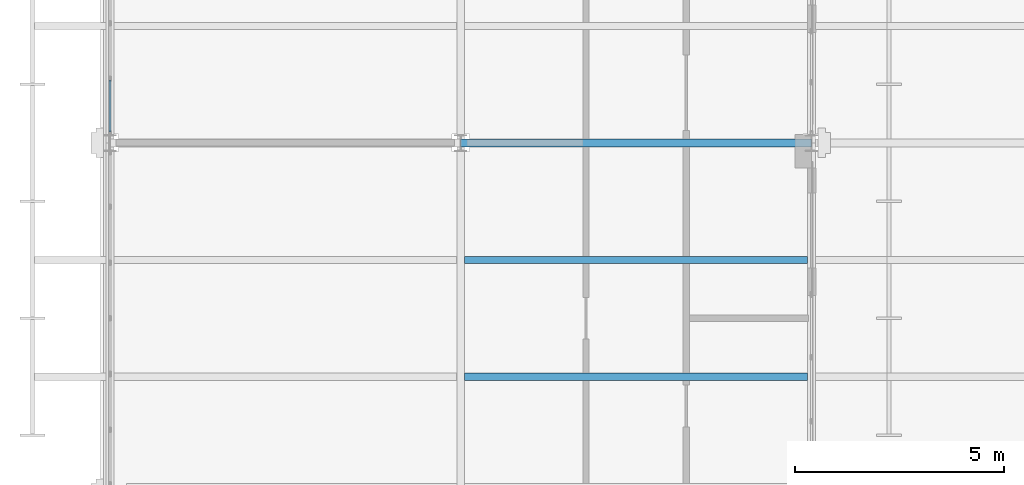
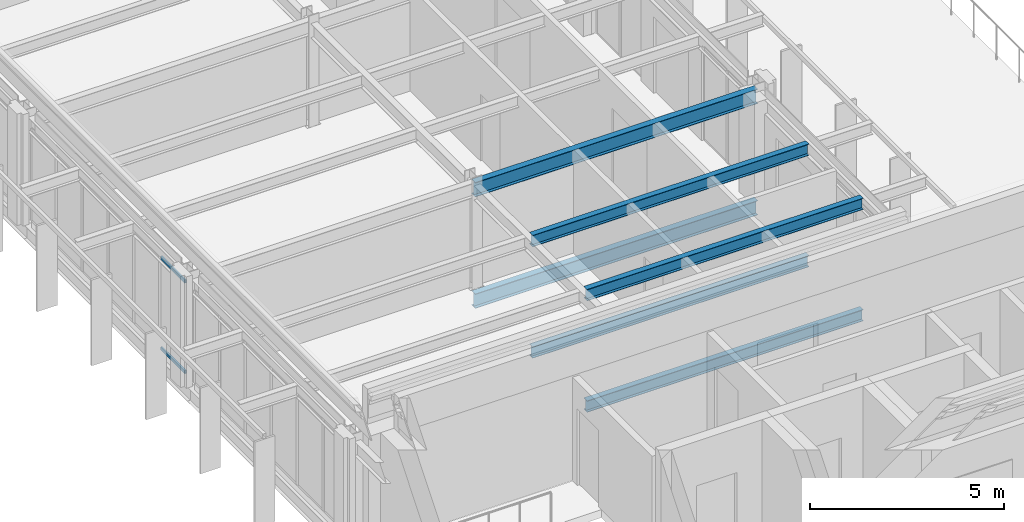
# One storey, part 7 of 31: 6 beams, 2 members, 1 element without a shape of its own.
"""IFC4 building model written with IfcOpenShell, lengths in metres."""

import ifcopenshell
import ifcopenshell.guid

model = None  # the IFC model being written
_history = None  # IfcOwnerHistory: only IFC2X3 demands one
_inside = {}  # id of a spatial element -> (the spatial element, [elements in it])
_under = {}  # id of a project, library or spatial element -> (it, [spatial elements below it])
_declared = {}  # id of a project -> (the project, [libraries it declares])
_typed = {}  # id of a type object -> (the type object, [elements of that type])
_made_of = {}  # id of a material, layer set ... -> (it, [elements and type objects made of it])


def new_model(schema):
    """Start an empty IFC model of exactly this schema.

    Asked for "IFC4X3", IfcOpenShell would pick the latest addendum, in which some entities
    have other attributes; the version numbers below select the first issue.
    IFC2X3 requires an IfcOwnerHistory on every rooted entity: one is made here for all.
    """
    global model, _history
    if schema == "IFC4X3":
        model = ifcopenshell.file(schema_version=(4, 3, 0, 0))
    else:
        model = ifcopenshell.file(schema=schema)
    _inside.clear()
    _under.clear()
    _declared.clear()
    _typed.clear()
    _made_of.clear()
    _history = None
    if model.schema == "IFC2X3":
        org = make("IfcOrganization", Name="unknown")
        user = make(
            "IfcPersonAndOrganization",
            ThePerson=make("IfcPerson", FamilyName="unknown"),
            TheOrganization=org,
        )
        app = make(
            "IfcApplication",
            ApplicationDeveloper=org,
            Version="unknown",
            ApplicationFullName="unknown",
            ApplicationIdentifier="unknown",
        )
        _history = make(
            "IfcOwnerHistory",
            OwningUser=user,
            OwningApplication=app,
            ChangeAction="ADDED",
            CreationDate=0,
        )
    return model


def make(cls, **values):
    """One entity of the class cls with the attributes given. An attribute that is None is left unset."""
    return model.create_entity(
        cls, **{name: value for name, value in values.items() if value is not None}
    )


def rooted(cls, **values):
    """An entity with a GlobalId (a new one), such as an element, a storey or a relation."""
    return make(cls, GlobalId=ifcopenshell.guid.new(), OwnerHistory=_history, **values)


def si_unit(unit_type, name, prefix=None):
    """IfcSIUnit, for example si_unit("LENGTHUNIT", "METRE", prefix="MILLI")."""
    return make("IfcSIUnit", UnitType=unit_type, Prefix=prefix, Name=name)


def assignment(units):
    """IfcUnitAssignment: the units of a project."""
    return None if units is None else make("IfcUnitAssignment", Units=units)


def point(xyz):
    """IfcCartesianPoint."""
    return None if xyz is None else make("IfcCartesianPoint", Coordinates=xyz)


def direction(xyz):
    """IfcDirection."""
    return None if xyz is None else make("IfcDirection", DirectionRatios=xyz)


def frame(location, z_axis=None, x_axis=None):
    """IfcAxis2Placement3D, a coordinate frame: its origin and axes. An axis left out is left unset."""
    return make(
        "IfcAxis2Placement3D",
        Location=point(location),
        Axis=direction(z_axis),
        RefDirection=direction(x_axis),
    )


def frame_2d(location, x_axis=None):
    """IfcAxis2Placement2D, a coordinate frame in the plane: its origin and x axis."""
    return make(
        "IfcAxis2Placement2D", Location=point(location), RefDirection=direction(x_axis)
    )


def origin():
    """The frame at (0, 0, 0) with its axes left unset."""
    return frame((0.0, 0.0, 0.0))


def origin_2d():
    """The frame at (0, 0) in the plane with its x axis left unset."""
    return frame_2d((0.0, 0.0))


def place(relative_to, where):
    """IfcLocalPlacement: puts the frame where relative to a parent placement (None: the world)."""
    return make(
        "IfcLocalPlacement", PlacementRelTo=relative_to, RelativePlacement=where
    )


def context(
    kind, dimensions, precision=None, world=None, true_north=None, identifier=None
):
    """IfcGeometricRepresentationContext, for example the 3D "Model" context."""
    return make(
        "IfcGeometricRepresentationContext",
        ContextIdentifier=identifier,
        ContextType=kind,
        CoordinateSpaceDimension=dimensions,
        Precision=precision,
        WorldCoordinateSystem=world,
        TrueNorth=true_north,
    )


def subcontext(parent, identifier, kind, view, scale=None):
    """IfcGeometricRepresentationSubContext, for example "Body" below "Model"."""
    return make(
        "IfcGeometricRepresentationSubContext",
        ContextIdentifier=identifier,
        ContextType=kind,
        ParentContext=parent,
        TargetScale=scale,
        TargetView=view,
    )


def project(units=None, contexts=None):
    """IfcProject with its units and contexts."""
    return rooted(
        "IfcProject",
        Name="project",
        RepresentationContexts=contexts,
        UnitsInContext=assignment(units),
    )


def spatial(cls, under=None, at=None, **own):
    """A site, building, storey or space (cls), placed at a placement, below another one or the project."""
    s = rooted(cls, ObjectPlacement=at, **own)
    if under is not None:
        _under.setdefault(under.id(), (under, []))[1].append(s)
    return s


def profile(cls, at=None, kind="AREA", **sizes):
    """A parametric profile (cls). Its sizes go by their IFC names, for example OverallWidth=200.0."""
    return make(cls, ProfileType=kind, Position=at, **sizes)


def hollow_rectangle(**sizes):
    """IfcRectangleHollowProfileDef."""
    return profile("IfcRectangleHollowProfileDef", **sizes)


def i_section(**sizes):
    """IfcIShapeProfileDef."""
    return profile("IfcIShapeProfileDef", **sizes)


def extrude(swept, where, along, depth):
    """IfcExtrudedAreaSolid: the profile swept, set in the frame where, extruded along a direction by depth."""
    return make(
        "IfcExtrudedAreaSolid",
        SweptArea=swept,
        Position=where,
        ExtrudedDirection=direction(along),
        Depth=depth,
    )


def shape(context_of_items, identifier, shape_type, items):
    """IfcShapeRepresentation: the items that make up one representation, for example the "Body"."""
    return make(
        "IfcShapeRepresentation",
        ContextOfItems=context_of_items,
        RepresentationIdentifier=identifier,
        RepresentationType=shape_type,
        Items=items,
    )


def material(Name=None, Category=None):
    """IfcMaterial."""
    return make("IfcMaterial", Name=Name, Category=Category)


def material_profile(
    of_material, cross_section, Name=None, Category=None, Priority=None
):
    """IfcMaterialProfile: a cross section and its material."""
    return make(
        "IfcMaterialProfile",
        Name=Name,
        Material=of_material,
        Profile=cross_section,
        Priority=Priority,
        Category=Category,
    )


def profile_set(profiles, Name=None, composite=None):
    """IfcMaterialProfileSet."""
    return make(
        "IfcMaterialProfileSet",
        Name=Name,
        MaterialProfiles=profiles,
        CompositeProfile=composite,
    )


def made_of(thing, what):
    """Note that an element or type object is made of a material, layer set ...; save() writes the relation."""
    if what is not None:
        _made_of.setdefault(what.id(), (what, []))[1].append(thing)
    return thing


def type_object(cls, material=None, **own):
    """A type object (cls), such as IfcWallType, which elements share."""
    return made_of(rooted(cls, **own), material)


def element(
    cls,
    number,
    at=None,
    inside=None,
    cuts=None,
    type_object=None,
    material=None,
    context=None,
    identifier="Body",
    shape_type=None,
    held_by="IfcProductDefinitionShape",
    body=None,
    shapes=None,
    **own,
):
    """One element of the class cls, such as IfcWall. Its Tag is "e" and its number.

    at: its placement. inside: the storey or other place that contains it. cuts: it is an
    opening in that element (IfcRelVoidsElement). A single representation is given by context,
    identifier, shape_type and body (its items); several are given by shapes. held_by: the class
    of the entity that holds the representations. save() writes the other relations.
    """
    e = rooted(cls, Tag="e%d" % number, ObjectPlacement=at, **own)
    if body is not None:
        shapes = [shape(context, identifier, shape_type, body)]
    if shapes is not None:
        e.Representation = make(held_by, Representations=shapes)
    if inside is not None:
        _inside.setdefault(inside.id(), (inside, []))[1].append(e)
    if cuts is not None:
        rooted(
            "IfcRelVoidsElement", RelatingBuildingElement=cuts, RelatedOpeningElement=e
        )
    if type_object is not None:
        _typed.setdefault(type_object.id(), (type_object, []))[1].append(e)
    return made_of(e, material)


def aggregate(whole, parts):
    """IfcRelAggregates: a whole, such as a stair, and the parts it consists of."""
    return rooted("IfcRelAggregates", RelatingObject=whole, RelatedObjects=parts)


def save(model, path):
    """Write the relations noted so far, then the file.

    IfcRelAggregates (storeys below a building ...), IfcRelContainedInSpatialStructure (elements
    in a storey), IfcRelDefinesByType, IfcRelAssociatesMaterial and IfcRelDeclares: one each for
    every whole, place, type object, material and project.
    """
    for whole, parts in _under.values():
        aggregate(whole, parts)
    for where, things in _inside.values():
        rooted(
            "IfcRelContainedInSpatialStructure",
            RelatedElements=things,
            RelatingStructure=where,
        )
    for kind, things in _typed.values():
        rooted("IfcRelDefinesByType", RelatedObjects=things, RelatingType=kind)
    for what, things in _made_of.values():
        rooted("IfcRelAssociatesMaterial", RelatedObjects=things, RelatingMaterial=what)
    for by, libraries in _declared.values():
        rooted("IfcRelDeclares", RelatingContext=by, RelatedDefinitions=libraries)
    model.write(path)


model = new_model("IFC4")

# Units and contexts
model_context = context("Model", 3, precision=1e-05, world=origin(), true_north=direction((0.0, 1.0)))
body_context = subcontext(model_context, "Body", "Model", "MODEL_VIEW")
ifc_project = project(units=[si_unit("LENGTHUNIT", "METRE"), si_unit("AREAUNIT", "SQUARE_METRE"), si_unit("VOLUMEUNIT", "CUBIC_METRE"), si_unit("PLANEANGLEUNIT", "RADIAN"), si_unit("MASSUNIT", "GRAM", prefix="KILO")], contexts=[model_context])

# Site, building, storey
site_placement = place(None, origin())
site = spatial("IfcSite", under=ifc_project, at=site_placement, CompositionType="ELEMENT")
building_placement = place(site_placement, origin())
building = spatial("IfcBuilding", under=site, at=building_placement, Name="Catenary Quay Ferry Terminal", CompositionType="ELEMENT")
storey_placement = place(building_placement, frame((0.0, 0.0, 20.60009765625)))
storey = spatial("IfcBuildingStorey", under=building, at=storey_placement, Name="L04", CompositionType="ELEMENT", Elevation=20.60009765625)

# Beams
ifc_material_1 = material(Name="Steel S355", Category="steel")
ifc_material_profile_1 = material_profile(ifc_material_1, i_section(OverallWidth=0.18994140625, OverallDepth=0.453369140625, WebThickness=0.008544921875, FlangeThickness=0.0126953125, at=origin_2d()), Name="UB 457x191x67")
ifc_profile_set_1 = profile_set([ifc_material_profile_1], Name="Steel S355")
beam_type_1 = type_object("IfcBeamType", Name="B1 UB 457x191x67", PredefinedType="BEAM", material=ifc_profile_set_1)
for number, where, z_axis, x_axis, name in (
    (1, (33.60009765625, 176.39990234375, -0.47705078125), (1.0, 0.0, 0.0), (0.0, 1.0, 0.0), "Beam B1-002"),
    (2, (33.60009765625, 176.39990234375, 3.02294921875), (1.0, 0.0, 0.0), (0.0, 1.0, 0.0), "Beam B1-002"),
):
    element("IfcBeam", number, at=place(storey_placement, frame(where, z_axis=z_axis, x_axis=x_axis)), inside=storey, type_object=beam_type_1, Name=name, PredefinedType="BEAM", context=body_context, shape_type="SweptSolid", body=[
        extrude(i_section(OverallWidth=0.18994140625, OverallDepth=0.453369140625, WebThickness=0.008544921875, FlangeThickness=0.0126953125, at=origin_2d()), origin(), (0.0, 0.0, 1.0), 8.39990234375),
    ])
ifc_material_2 = material(Name="Steel S355", Category="steel")
ifc_material_profile_2 = material_profile(ifc_material_2, i_section(OverallWidth=0.169921875, OverallDepth=0.360107421875, WebThickness=0.008056640625, FlangeThickness=0.0126953125, at=origin_2d()), Name="IPE 360")
ifc_profile_set_2 = profile_set([ifc_material_profile_2], Name="Steel S355")
beam_type_2 = type_object("IfcBeamType", Name="B7 IPE 360", PredefinedType="BEAM", material=ifc_profile_set_2)
for number, where, z_axis, x_axis, name in (
    (3, (33.695068359375, 170.800048828125, -0.43017578125), (1.0, 0.0, 0.0), (0.0, 1.0, 0.0), "Beam B7-002"),
    (4, (33.695068359375, 173.60009765625, -0.43017578125), (1.0, 0.0, 0.0), (0.0, 1.0, 0.0), "Beam B7-005"),
    (5, (33.695068359375, 170.800048828125, 3.06982421875), (1.0, 0.0, 0.0), (0.0, 1.0, 0.0), "Beam B7-002"),
    (6, (33.695068359375, 173.60009765625, 3.06982421875), (1.0, 0.0, 0.0), (0.0, 1.0, 0.0), "Beam B7-004"),
):
    element("IfcBeam", number, at=place(storey_placement, frame(where, z_axis=z_axis, x_axis=x_axis)), inside=storey, type_object=beam_type_2, Name=name, PredefinedType="BEAM", context=body_context, shape_type="SweptSolid", body=[
        extrude(i_section(OverallWidth=0.169921875, OverallDepth=0.360107421875, WebThickness=0.008056640625, FlangeThickness=0.0126953125, at=origin_2d()), origin(), (0.0, 0.0, 1.0), 8.2099609375),
    ])

# Curtain wall, members
ifc_material_3 = material(Name="Aluminium and glass", Category="aluminium")
curtain_wall_type = type_object("IfcCurtainWallType", Name="CWW5", PredefinedType="NOTDEFINED", material=ifc_material_3)
curtain_wall_placement = place(storey_placement, origin())
curtain_wall = element("IfcCurtainWall", 7, at=curtain_wall_placement, inside=storey, type_object=curtain_wall_type, Name="Wing curtain wall CW155", PredefinedType="NOTDEFINED")
ifc_material_4 = material(Name="Aluminium", Category="aluminium")
ifc_material_profile_3 = material_profile(ifc_material_4, hollow_rectangle(XDim=0.050048828125, YDim=0.10009765625, WallThickness=0.00390625, at=origin_2d()), Name="TR4")
ifc_profile_set_3 = profile_set([ifc_material_profile_3], Name="Aluminium")
member_type = type_object("IfcMemberType", Name="TR4", PredefinedType="USERDEFINED", material=ifc_profile_set_3)
member_1_placement = place(storey_placement, frame((25.199951171875, 176.659912109375, 0.02490234375), z_axis=(0.0, 1.0, 0.0), x_axis=(-1.0, 0.0, 0.0)))
member_1 = element("IfcMember", 8, at=member_1_placement, type_object=member_type, Name="CW155 transom 1.1", ObjectType="TRANSOM", PredefinedType="USERDEFINED", context=body_context, shape_type="SweptSolid", body=[
    extrude(hollow_rectangle(XDim=0.050048828125, YDim=0.10009765625, WallThickness=0.00390625, at=origin_2d()), origin(), (0.0, 0.0, 1.0), 1.243408203125),
])
member_2_placement = place(storey_placement, frame((25.199951171875, 176.659912109375, 2.875), z_axis=(0.0, 1.0, 0.0), x_axis=(-1.0, 0.0, 0.0)))
member_2 = element("IfcMember", 9, at=member_2_placement, type_object=member_type, Name="CW155 transom 1.2", ObjectType="TRANSOM", PredefinedType="USERDEFINED", context=body_context, shape_type="SweptSolid", body=[
    extrude(hollow_rectangle(XDim=0.050048828125, YDim=0.10009765625, WallThickness=0.00390625, at=origin_2d()), origin(), (0.0, 0.0, 1.0), 1.243408203125),
])
aggregate(curtain_wall, [member_1, member_2])

save(model, "model.ifc")
